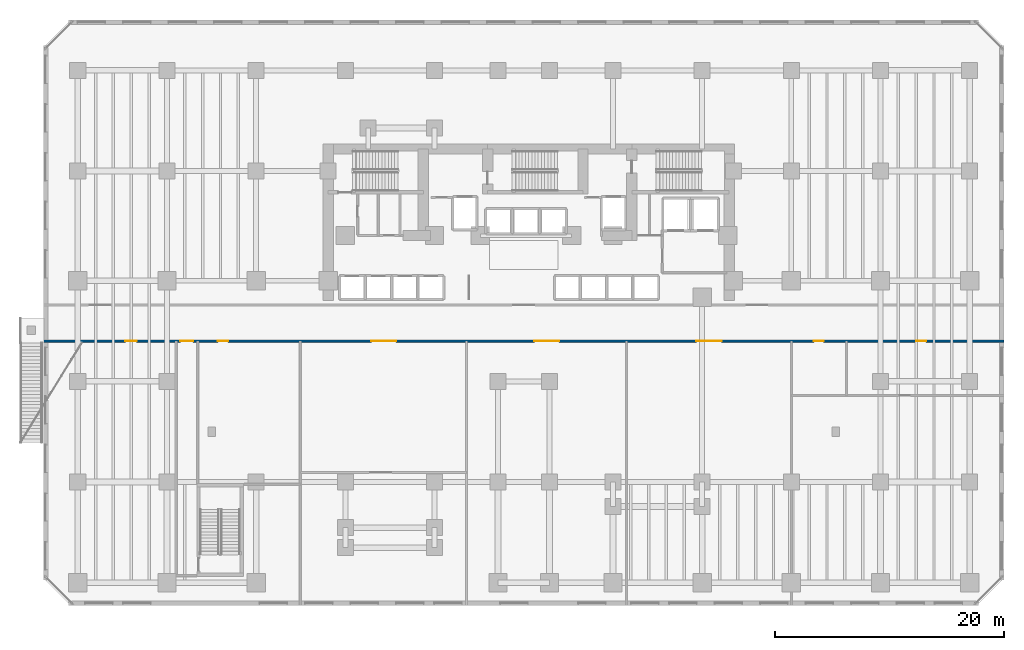
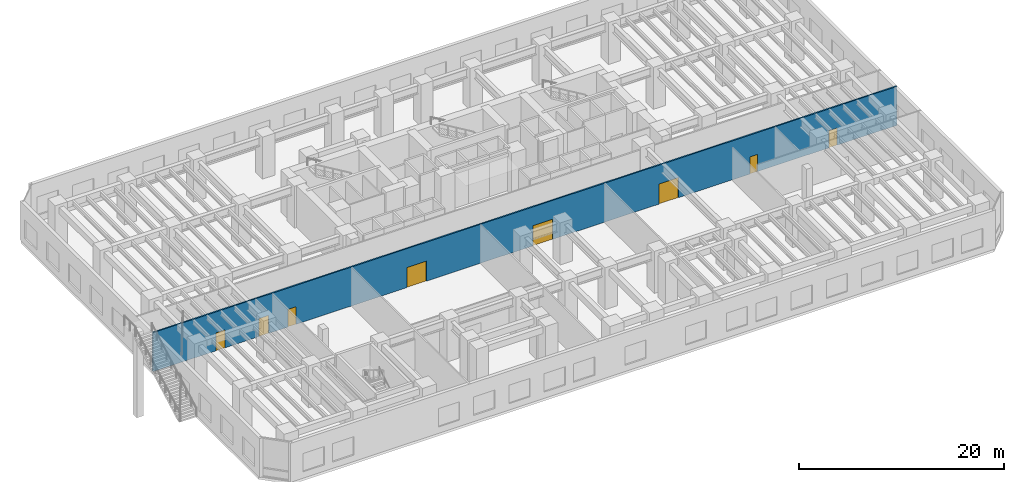
# One storey, part 12 of 19: 8 doors, 1 wall, 8 openings.
"""IFC4 building model written with IfcOpenShell, lengths in metres."""

from ifc_helpers import new_model, si_unit, direction, frame, frame_2d, origin, place, context, subcontext, project, spatial, rectangle, extrude, material, layer, layer_set, type_object, element, fill, save


model = new_model("IFC4")

# Units and contexts
model_context = context("Model", 3, precision=1e-05, world=origin(), true_north=direction((0.0, 1.0)))
body_context = subcontext(model_context, "Body", "Model", "MODEL_VIEW")
ifc_project = project(units=[si_unit("LENGTHUNIT", "METRE"), si_unit("AREAUNIT", "SQUARE_METRE"), si_unit("VOLUMEUNIT", "CUBIC_METRE"), si_unit("PLANEANGLEUNIT", "RADIAN"), si_unit("MASSUNIT", "GRAM", prefix="KILO")], contexts=[model_context])

# Site, building, storey
site_placement = place(None, origin())
site = spatial("IfcSite", under=ifc_project, at=site_placement, CompositionType="ELEMENT")
building_placement = place(site_placement, origin())
building = spatial("IfcBuilding", under=site, at=building_placement, Name="Kestravale Grand Hotel", CompositionType="ELEMENT")
storey_placement = place(building_placement, frame((0.0, 0.0, 5.39990234375)))
storey = spatial("IfcBuildingStorey", under=building, at=storey_placement, Name="L01", CompositionType="ELEMENT", Elevation=5.39990234375)

# Wall, openings, doors
ifc_material_1 = material(Name="Acoustic fire-rated gypsum board partition", Category="other")
ifc_layer = layer(ifc_material_1, 0.159912109375)
ifc_layer_set = layer_set([ifc_layer], Name="IW-CORR-160")
wall_type = type_object("IfcWallType", Name="IW-CORR-160", PredefinedType="PARTITIONING", material=ifc_layer_set)
wall_placement = place(storey_placement, frame((-2.97998046875, 23.52001953125, 0.0), z_axis=(0.0, 0.0, 1.0), x_axis=(1.0, 0.0, 0.0)))
wall = element("IfcWall", 1, at=wall_placement, inside=storey, type_object=wall_type, Name="W-L01-MC-S", PredefinedType="PARTITIONING", context=body_context, shape_type="SweptSolid", body=[
    extrude(rectangle(XDim=83.9599609375, YDim=0.159912109375, at=frame_2d((41.97998046875, 0.0))), origin(), (0.0, 0.0, 1.0), 4.650146484375),
])
opening_1_placement = place(wall_placement, frame((7.1298828125, 0.0, 0.0)))
opening_1 = element("IfcOpeningElement", 2, at=opening_1_placement, cuts=wall, Name="Opening D-GUEST-1000", PredefinedType="OPENING", context=body_context, shape_type="SweptSolid", body=[
    extrude(rectangle(XDim=1.0, YDim=2.14990234375, at=frame_2d((0.5, 1.074951171875))), frame((0.0, 0.08984375, 0.0), z_axis=(0.0, -1.0, 0.0), x_axis=(1.0, 0.0, 0.0)), (0.0, 0.0, 1.0), 0.179931640625),
])
opening_2_placement = place(wall_placement, frame((11.9599609375, 0.0, 0.0)))
opening_2 = element("IfcOpeningElement", 3, at=opening_2_placement, cuts=wall, Name="Opening D-CORR-1100", PredefinedType="OPENING", context=body_context, shape_type="SweptSolid", body=[
    extrude(rectangle(XDim=1.10009765625, YDim=2.14990234375, at=frame_2d((0.550048828125, 1.074951171875))), frame((0.0, 0.08984375, 0.0), z_axis=(0.0, -1.0, 0.0), x_axis=(1.0, 0.0, 0.0)), (0.0, 0.0, 1.0), 0.179931640625),
])
opening_3_placement = place(wall_placement, frame((15.205078125, 0.0, 0.0)))
opening_3 = element("IfcOpeningElement", 4, at=opening_3_placement, cuts=wall, Name="Opening D-GUEST-950", PredefinedType="OPENING", context=body_context, shape_type="SweptSolid", body=[
    extrude(rectangle(XDim=0.949951171875, YDim=2.10009765625, at=frame_2d((0.47509765625, 1.050048828125))), frame((0.0, 0.08984375, 0.0), z_axis=(0.0, -1.0, 0.0), x_axis=(1.0, 0.0, 0.0)), (0.0, 0.0, 1.0), 0.179931640625),
])
opening_4_placement = place(wall_placement, frame((28.6298828125, 0.0, 0.0)))
opening_4 = element("IfcOpeningElement", 5, at=opening_4_placement, cuts=wall, Name="Opening D-BAL-2200", PredefinedType="OPENING", context=body_context, shape_type="SweptSolid", body=[
    extrude(rectangle(XDim=2.199951171875, YDim=2.39990234375, at=frame_2d((1.10009765625, 1.199951171875))), frame((0.0, 0.08984375, 0.0), z_axis=(0.0, -1.0, 0.0), x_axis=(1.0, 0.0, 0.0)), (0.0, 0.0, 1.0), 0.179931640625),
])
opening_5_placement = place(wall_placement, frame((42.8798828125, 0.0, 0.0)))
opening_5 = element("IfcOpeningElement", 6, at=opening_5_placement, cuts=wall, Name="Opening D-BAL-2200", PredefinedType="OPENING", context=body_context, shape_type="SweptSolid", body=[
    extrude(rectangle(XDim=2.199951171875, YDim=2.39990234375, at=frame_2d((1.10009765625, 1.199951171875))), frame((0.0, 0.08984375, 0.0), z_axis=(0.0, -1.0, 0.0), x_axis=(1.0, 0.0, 0.0)), (0.0, 0.0, 1.0), 0.179931640625),
])
opening_6_placement = place(wall_placement, frame((57.080078125, 0.0, 0.0)))
opening_6 = element("IfcOpeningElement", 7, at=opening_6_placement, cuts=wall, Name="Opening D-BAL-2200", PredefinedType="OPENING", context=body_context, shape_type="SweptSolid", body=[
    extrude(rectangle(XDim=2.199951171875, YDim=2.39990234375, at=frame_2d((1.10009765625, 1.199951171875))), frame((0.0, 0.08984375, 0.0), z_axis=(0.0, -1.0, 0.0), x_axis=(1.0, 0.0, 0.0)), (0.0, 0.0, 1.0), 0.179931640625),
])
opening_7_placement = place(wall_placement, frame((67.340087890625, 0.0, 0.0)))
opening_7 = element("IfcOpeningElement", 8, at=opening_7_placement, cuts=wall, Name="Opening D-BATH-880", PredefinedType="OPENING", context=body_context, shape_type="SweptSolid", body=[
    extrude(rectangle(XDim=0.8798828125, YDim=2.050048828125, at=frame_2d((0.43994140625, 1.02490234375))), frame((0.0, 0.08984375, 0.0), z_axis=(0.0, -1.0, 0.0), x_axis=(1.0, 0.0, 0.0)), (0.0, 0.0, 1.0), 0.179931640625),
])
opening_8_placement = place(wall_placement, frame((76.2900390625, 0.0, 0.0)))
opening_8 = element("IfcOpeningElement", 9, at=opening_8_placement, cuts=wall, Name="Opening D-BATH-880", PredefinedType="OPENING", context=body_context, shape_type="SweptSolid", body=[
    extrude(rectangle(XDim=0.8798828125, YDim=2.050048828125, at=frame_2d((0.43994140625, 1.02490234375))), frame((0.0, 0.08984375, 0.0), z_axis=(0.0, -1.0, 0.0), x_axis=(1.0, 0.0, 0.0)), (0.0, 0.0, 1.0), 0.179931640625),
])
ifc_material_2 = material(Name="Monumental walnut and bronze ballroom double fire door", Category="wood")
door_type_1 = type_object("IfcDoorType", Name="D-BAL-2200", OperationType="NOTDEFINED", PredefinedType="DOOR", material=ifc_material_2)
door_1_placement = place(opening_4_placement, origin())
door_1 = element("IfcDoor", 10, at=door_1_placement, inside=storey, type_object=door_type_1, Name="D-L01-DINING", OperationType="DOUBLE_DOOR_SINGLE_SWING", OverallHeight=2.39990234375, OverallWidth=2.199951171875, PredefinedType="DOOR", context=body_context, shape_type="SweptSolid", body=[
    extrude(rectangle(XDim=2.199951171875, YDim=2.39990234375, at=frame_2d((1.10009765625, 1.199951171875))), frame((0.0, 0.02490234375, 0.0), z_axis=(0.0, -1.0, 0.0), x_axis=(1.0, 0.0, 0.0)), (0.0, 0.0, 1.0), 0.050048828125),
])
fill(opening_4, door_1)
door_2_placement = place(opening_5_placement, origin())
door_2 = element("IfcDoor", 11, at=door_2_placement, inside=storey, type_object=door_type_1, Name="D-L01-KITCH", OperationType="DOUBLE_DOOR_SINGLE_SWING", OverallHeight=2.39990234375, OverallWidth=2.199951171875, PredefinedType="DOOR", context=body_context, shape_type="SweptSolid", body=[
    extrude(rectangle(XDim=2.199951171875, YDim=2.39990234375, at=frame_2d((1.10009765625, 1.199951171875))), frame((0.0, 0.02490234375, 0.0), z_axis=(0.0, -1.0, 0.0), x_axis=(1.0, 0.0, 0.0)), (0.0, 0.0, 1.0), 0.050048828125),
])
fill(opening_5, door_2)
door_3_placement = place(opening_6_placement, origin())
door_3 = element("IfcDoor", 12, at=door_3_placement, inside=storey, type_object=door_type_1, Name="D-L01-LOUNGE", OperationType="DOUBLE_DOOR_SINGLE_SWING", OverallHeight=2.39990234375, OverallWidth=2.199951171875, PredefinedType="DOOR", context=body_context, shape_type="SweptSolid", body=[
    extrude(rectangle(XDim=2.199951171875, YDim=2.39990234375, at=frame_2d((1.10009765625, 1.199951171875))), frame((0.0, 0.02490234375, 0.0), z_axis=(0.0, -1.0, 0.0), x_axis=(1.0, 0.0, 0.0)), (0.0, 0.0, 1.0), 0.050048828125),
])
fill(opening_6, door_3)
ifc_material_3 = material(Name="Moisture-sealed walnut en-suite bathroom door", Category="wood")
door_type_2 = type_object("IfcDoorType", Name="D-BATH-880", OperationType="NOTDEFINED", PredefinedType="DOOR", material=ifc_material_3)
door_4_placement = place(opening_7_placement, origin())
door_4 = element("IfcDoor", 13, at=door_4_placement, inside=storey, type_object=door_type_2, Name="D-L01-WCA", OperationType="SINGLE_SWING_RIGHT", OverallHeight=2.050048828125, OverallWidth=0.8798828125, PredefinedType="DOOR", context=body_context, shape_type="SweptSolid", body=[
    extrude(rectangle(XDim=0.8798828125, YDim=2.050048828125, at=frame_2d((0.43994140625, 1.02490234375))), frame((0.0, 0.02490234375, 0.0), z_axis=(0.0, -1.0, 0.0), x_axis=(1.0, 0.0, 0.0)), (0.0, 0.0, 1.0), 0.050048828125),
])
fill(opening_7, door_4)
door_5_placement = place(opening_8_placement, origin())
door_5 = element("IfcDoor", 14, at=door_5_placement, inside=storey, type_object=door_type_2, Name="D-L01-WCM", OperationType="SINGLE_SWING_LEFT", OverallHeight=2.050048828125, OverallWidth=0.8798828125, PredefinedType="DOOR", context=body_context, shape_type="SweptSolid", body=[
    extrude(rectangle(XDim=0.8798828125, YDim=2.050048828125, at=frame_2d((0.43994140625, 1.02490234375))), frame((0.0, 0.02490234375, 0.0), z_axis=(0.0, -1.0, 0.0), x_axis=(1.0, 0.0, 0.0)), (0.0, 0.0, 1.0), 0.050048828125),
])
fill(opening_8, door_5)
ifc_material_4 = material(Name="Single-leaf service vestibule fire door", Category="steel")
door_type_3 = type_object("IfcDoorType", Name="D-CORR-1100", OperationType="NOTDEFINED", PredefinedType="DOOR", material=ifc_material_4)
door_6_placement = place(opening_2_placement, origin())
door_6 = element("IfcDoor", 15, at=door_6_placement, inside=storey, type_object=door_type_3, Name="L01 ST-4 Corridor Door", OperationType="SINGLE_SWING_RIGHT", OverallHeight=2.14990234375, OverallWidth=1.10009765625, PredefinedType="DOOR", context=body_context, shape_type="SweptSolid", body=[
    extrude(rectangle(XDim=1.10009765625, YDim=2.14990234375, at=frame_2d((0.550048828125, 1.074951171875))), frame((0.0, 0.02490234375, 0.0), z_axis=(0.0, -1.0, 0.0), x_axis=(1.0, 0.0, 0.0)), (0.0, 0.0, 1.0), 0.050048828125),
])
fill(opening_2, door_6)
ifc_material_5 = material(Name="Accessible walnut veneer hotel entrance fire door", Category="wood")
door_type_4 = type_object("IfcDoorType", Name="D-GUEST-1000", OperationType="NOTDEFINED", PredefinedType="DOOR", material=ifc_material_5)
door_7_placement = place(opening_1_placement, origin())
door_7 = element("IfcDoor", 16, at=door_7_placement, inside=storey, type_object=door_type_4, Name="D-L01-WSAL", OperationType="SINGLE_SWING_RIGHT", OverallHeight=2.14990234375, OverallWidth=1.0, PredefinedType="DOOR", context=body_context, shape_type="SweptSolid", body=[
    extrude(rectangle(XDim=1.0, YDim=2.14990234375, at=frame_2d((0.5, 1.074951171875))), frame((0.0, 0.02490234375, 0.0), z_axis=(0.0, -1.0, 0.0), x_axis=(1.0, 0.0, 0.0)), (0.0, 0.0, 1.0), 0.050048828125),
])
fill(opening_1, door_7)
ifc_material_6 = material(Name="Walnut veneer hotel guestroom entrance fire door", Category="wood")
door_type_5 = type_object("IfcDoorType", Name="D-GUEST-950", OperationType="NOTDEFINED", PredefinedType="DOOR", material=ifc_material_6)
door_8_placement = place(opening_3_placement, origin())
door_8 = element("IfcDoor", 17, at=door_8_placement, inside=storey, type_object=door_type_5, Name="D-L01-MTGW", OperationType="SINGLE_SWING_LEFT", OverallHeight=2.10009765625, OverallWidth=0.949951171875, PredefinedType="DOOR", context=body_context, shape_type="SweptSolid", body=[
    extrude(rectangle(XDim=0.949951171875, YDim=2.10009765625, at=frame_2d((0.47509765625, 1.050048828125))), frame((0.0, 0.02490234375, 0.0), z_axis=(0.0, -1.0, 0.0), x_axis=(1.0, 0.0, 0.0)), (0.0, 0.0, 1.0), 0.050048828125),
])
fill(opening_3, door_8)

save(model, "model.ifc")
